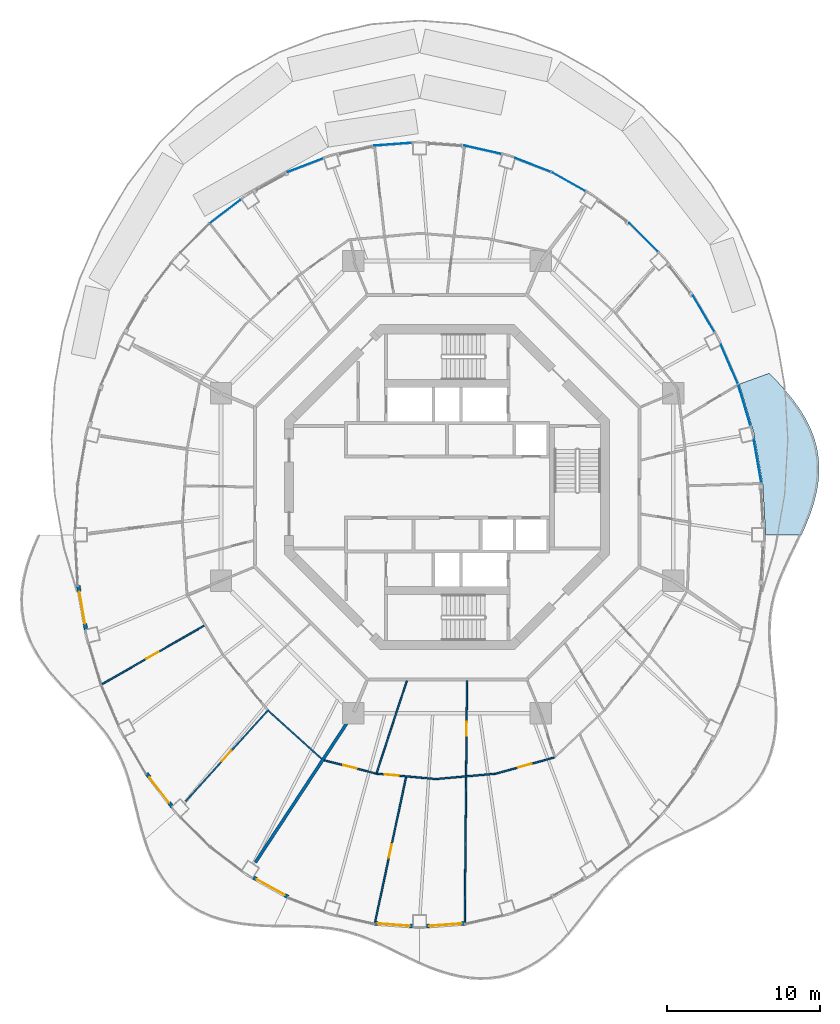
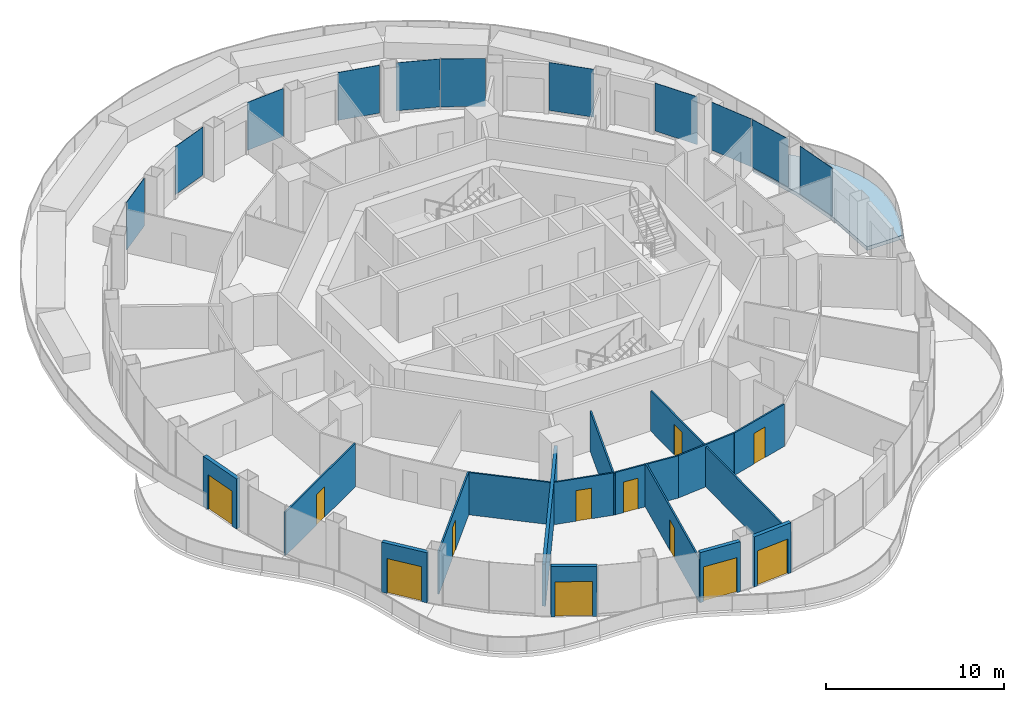
# One storey, part 9 of 17: 16 walls, 12 doors, 11 plates, 1 slab, 12 openings, 11 elements without a shape of their own.
"""IFC4 building model written with IfcOpenShell, lengths in metres."""

from ifc_helpers import new_model, si_unit, direction, frame, frame_2d, origin, origin_2d, place, context, subcontext, project, spatial, polyline, rectangle, outline, extrude, material, layer, layer_set, type_object, element, fill, aggregate, save


model = new_model("IFC4")

# Units and contexts
model_context = context("Model", 3, precision=1e-05, world=origin(), true_north=direction((0.0, 1.0)))
body_context = subcontext(model_context, "Body", "Model", "MODEL_VIEW")
ifc_project = project(units=[si_unit("LENGTHUNIT", "METRE"), si_unit("AREAUNIT", "SQUARE_METRE"), si_unit("VOLUMEUNIT", "CUBIC_METRE"), si_unit("PLANEANGLEUNIT", "RADIAN"), si_unit("MASSUNIT", "GRAM", prefix="KILO")], contexts=[model_context])

# Site, building, storey
site_placement = place(None, origin())
site = spatial("IfcSite", under=ifc_project, at=site_placement, CompositionType="ELEMENT")
building_placement = place(site_placement, origin())
building = spatial("IfcBuilding", under=site, at=building_placement, Name="Nagisa Residences", CompositionType="ELEMENT")
storey_placement = place(building_placement, frame((0.0, 0.0, 258.5)))
storey = spatial("IfcBuildingStorey", under=building, at=storey_placement, Name="L65", CompositionType="ELEMENT", Elevation=258.5)

# Slab
ifc_material_1 = material(Name="Concrete C40/50", Category="concrete")
ifc_layer_1 = layer(ifc_material_1, 0.25)
ifc_layer_set_1 = layer_set([ifc_layer_1], Name="BALCONY SLAB 250")
slab_type = type_object("IfcSlabType", Name="BALCONY SLAB 250", PredefinedType="FLOOR", material=ifc_layer_set_1)
slab_placement = place(storey_placement, frame((0.0, 0.0, -0.25)))
element("IfcSlab", 1, at=slab_placement, inside=storey, type_object=slab_type, Name="slab:L65:bal00", PredefinedType="FLOOR", context=body_context, shape_type="SweptSolid", body=[
    extrude(outline(polyline([(23.169921875, -3.11767578125), (23.471923828125, -2.4326171875), (23.745361328125, -1.735107421875), (23.977783203125, -1.027099609375), (24.15673828125, -0.3115234375), (24.272705078125, 0.407470703125), (24.317626953125, 1.1259765625), (24.2861328125, 1.8388671875), (24.176025390625, 2.541748046875), (23.987548828125, 3.230224609375), (23.724365234375, 3.900146484375), (23.39208984375, 4.54833984375), (22.99951171875, 5.17333984375), (22.55712890625, 5.774169921875), (22.07666015625, 6.351318359375), (21.571044921875, 6.906982421875), (21.053955078125, 7.444580078125), (19.09814453125, 6.732666015625), (20.04931640625, 3.544189453125), (20.62646484375, 0.241943359375), (20.820068359375, -3.11767578125), (23.169921875, -3.11767578125)])), origin(), (0.0, 0.0, 1.0), 0.25),
])

# Curtain wall, plate
ifc_material_2 = material(Name="Concrete-coloured aluminium curtain wall system", Category="concrete")
ifc_layer_2 = layer(ifc_material_2, 0.159912109375)
ifc_layer_set_2 = layer_set([ifc_layer_2], Name="CW1 CURTAIN WALL")
curtain_wall_type = type_object("IfcCurtainWallType", Name="CW1 CURTAIN WALL", PredefinedType="NOTDEFINED", material=ifc_layer_set_2)
curtain_wall_1_placement = place(storey_placement, origin())
curtain_wall_1 = element("IfcCurtainWall", 2, at=curtain_wall_1_placement, inside=storey, type_object=curtain_wall_type, Name="cw:CW1:L65:01", PredefinedType="NOTDEFINED")
ifc_material_3 = material(Name="Clear laminated glass", Category="glass")
ifc_layer_3 = layer(ifc_material_3, 0.028076171875)
ifc_layer_set_3 = layer_set([ifc_layer_3], Name="CW1 GLASS PANEL")
plate_type = type_object("IfcPlateType", Name="CW1 GLASS PANEL", PredefinedType="CURTAIN_PANEL", material=ifc_layer_set_3)
plate_1_placement = place(storey_placement, frame((20.292724609375, 1.687255859375, 0.14990234375), z_axis=(0.0, 0.0, 1.0), x_axis=(-0.172190868898, 0.985063604377, 0.0)))
plate_1 = element("IfcPlate", 3, at=plate_1_placement, type_object=plate_type, Name="CW1 panel", PredefinedType="CURTAIN_PANEL", context=body_context, shape_type="SweptSolid", body=[
    extrude(rectangle(XDim=2.84228515625, YDim=0.028076171875, at=origin_2d()), origin(), (0.0, 0.0, 1.0), 3.2900390625),
])
aggregate(curtain_wall_1, [plate_1])

curtain_wall_2_placement = place(storey_placement, origin())
curtain_wall_2 = element("IfcCurtainWall", 4, at=curtain_wall_2_placement, inside=storey, type_object=curtain_wall_type, Name="cw:CW1:L65:02", PredefinedType="NOTDEFINED")
plate_2_placement = place(storey_placement, frame((19.424072265625, 5.35986328125, 0.14990234375), z_axis=(0.0, 0.0, 1.0), x_axis=(-0.285860274038, 0.958271310082, 0.0)))
plate_2 = element("IfcPlate", 5, at=plate_2_placement, type_object=plate_type, Name="CW1 panel", PredefinedType="CURTAIN_PANEL", context=body_context, shape_type="SweptSolid", body=[
    extrude(rectangle(XDim=2.817138671875, YDim=0.028076171875, at=origin_2d()), origin(), (0.0, 0.0, 1.0), 3.2900390625),
])
aggregate(curtain_wall_2, [plate_2])

curtain_wall_3_placement = place(storey_placement, origin())
curtain_wall_3 = element("IfcCurtainWall", 6, at=curtain_wall_3_placement, inside=storey, type_object=curtain_wall_type, Name="cw:CW1:L65:03", PredefinedType="NOTDEFINED")
plate_3_placement = place(storey_placement, frame((18.447998046875, 8.03173828125, 0.14990234375), z_axis=(0.0, 0.0, 1.0), x_axis=(-0.397635934147, 0.917543276295, 0.0)))
plate_3 = element("IfcPlate", 7, at=plate_3_placement, type_object=plate_type, Name="CW1 panel", PredefinedType="CURTAIN_PANEL", context=body_context, shape_type="SweptSolid", body=[
    extrude(rectangle(XDim=2.781005859375, YDim=0.028076171875, at=origin_2d()), origin(), (0.0, 0.0, 1.0), 3.2900390625),
])
aggregate(curtain_wall_3, [plate_3])

curtain_wall_4_placement = place(storey_placement, origin())
curtain_wall_4 = element("IfcCurtainWall", 8, at=curtain_wall_4_placement, inside=storey, type_object=curtain_wall_type, Name="cw:CW1:L65:04", PredefinedType="NOTDEFINED")
plate_4_placement = place(storey_placement, frame((16.76953125, 11.33154296875, 0.14990234375), z_axis=(0.0, 0.0, 1.0), x_axis=(-0.506348567002, 0.862328898214, 0.0)))
plate_4 = element("IfcPlate", 9, at=plate_4_placement, type_object=plate_type, Name="CW1 panel", PredefinedType="CURTAIN_PANEL", context=body_context, shape_type="SweptSolid", body=[
    extrude(rectangle(XDim=2.736572265625, YDim=0.028076171875, at=origin_2d()), origin(), (0.0, 0.0, 1.0), 3.2900390625),
])
aggregate(curtain_wall_4, [plate_4])

curtain_wall_5_placement = place(storey_placement, origin())
curtain_wall_5 = element("IfcCurtainWall", 10, at=curtain_wall_5_placement, inside=storey, type_object=curtain_wall_type, Name="cw:CW1:L65:06", PredefinedType="NOTDEFINED")
plate_5_placement = place(storey_placement, frame((12.845458984375, 16.316650390625, 0.14990234375), z_axis=(0.0, 0.0, 1.0), x_axis=(-0.707835924016, 0.706376885714, 0.0)))
plate_5 = element("IfcPlate", 11, at=plate_5_placement, type_object=plate_type, Name="CW1 panel", PredefinedType="CURTAIN_PANEL", context=body_context, shape_type="SweptSolid", body=[
    extrude(rectangle(XDim=2.6328125, YDim=0.028076171875, at=origin_2d()), origin(), (0.0, 0.0, 1.0), 3.2900390625),
])
aggregate(curtain_wall_5, [plate_5])

curtain_wall_6_placement = place(storey_placement, origin())
curtain_wall_6 = element("IfcCurtainWall", 12, at=curtain_wall_6_placement, inside=storey, type_object=curtain_wall_type, Name="cw:CW1:L65:08", PredefinedType="NOTDEFINED")
plate_6_placement = place(storey_placement, frame((7.921630859375, 19.973388671875, 0.14990234375), z_axis=(0.0, 0.0, 1.0), x_axis=(-0.872072377523, 0.489376918501, 0.0)))
plate_6 = element("IfcPlate", 13, at=plate_6_placement, type_object=plate_type, Name="CW1 panel", PredefinedType="CURTAIN_PANEL", context=body_context, shape_type="SweptSolid", body=[
    extrude(rectangle(XDim=2.532958984375, YDim=0.028076171875, at=origin_2d()), origin(), (0.0, 0.0, 1.0), 3.2900390625),
])
aggregate(curtain_wall_6, [plate_6])

curtain_wall_7_placement = place(storey_placement, origin())
curtain_wall_7 = element("IfcCurtainWall", 14, at=curtain_wall_7_placement, inside=storey, type_object=curtain_wall_type, Name="cw:CW1:L65:09", PredefinedType="NOTDEFINED")
plate_7_placement = place(storey_placement, frame((5.6083984375, 21.059326171875, 0.14990234375), z_axis=(0.0, 0.0, 1.0), x_axis=(-0.932825759707, 0.360327770268, 0.0)))
plate_7 = element("IfcPlate", 15, at=plate_7_placement, type_object=plate_type, Name="CW1 panel", PredefinedType="CURTAIN_PANEL", context=body_context, shape_type="SweptSolid", body=[
    extrude(rectangle(XDim=2.49365234375, YDim=0.028076171875, at=origin_2d()), origin(), (0.0, 0.0, 1.0), 3.2900390625),
])
aggregate(curtain_wall_7, [plate_7])

curtain_wall_8_placement = place(storey_placement, origin())
curtain_wall_8 = element("IfcCurtainWall", 16, at=curtain_wall_8_placement, inside=storey, type_object=curtain_wall_type, Name="cw:CW1:L65:10", PredefinedType="NOTDEFINED")
plate_8_placement = place(storey_placement, frame((2.337158203125, 22.052001953125, 0.14990234375), z_axis=(0.0, 0.0, 1.0), x_axis=(-0.975327274089, 0.2207639201, 0.0)))
plate_8 = element("IfcPlate", 17, at=plate_8_placement, type_object=plate_type, Name="CW1 panel", PredefinedType="CURTAIN_PANEL", context=body_context, shape_type="SweptSolid", body=[
    extrude(rectangle(XDim=2.46533203125, YDim=0.028076171875, at=origin_2d()), origin(), (0.0, 0.0, 1.0), 3.2900390625),
])
aggregate(curtain_wall_8, [plate_8])

curtain_wall_9_placement = place(storey_placement, origin())
curtain_wall_9 = element("IfcCurtainWall", 18, at=curtain_wall_9_placement, inside=storey, type_object=curtain_wall_type, Name="cw:CW1:L65:12", PredefinedType="NOTDEFINED")
plate_9_placement = place(storey_placement, frame((-3.524658203125, 22.41357421875, 0.14990234375), z_axis=(0.0, 0.0, 1.0), x_axis=(-0.997230168512, -0.074377355493, 0.0)))
plate_9 = element("IfcPlate", 19, at=plate_9_placement, type_object=plate_type, Name="CW1 panel", PredefinedType="CURTAIN_PANEL", context=body_context, shape_type="SweptSolid", body=[
    extrude(rectangle(XDim=2.45068359375, YDim=0.028076171875, at=origin_2d()), origin(), (0.0, 0.0, 1.0), 3.2900390625),
])
aggregate(curtain_wall_9, [plate_9])

curtain_wall_10_placement = place(storey_placement, origin())
curtain_wall_10 = element("IfcCurtainWall", 20, at=curtain_wall_10_placement, inside=storey, type_object=curtain_wall_type, Name="cw:CW1:L65:14", PredefinedType="NOTDEFINED")
plate_10_placement = place(storey_placement, frame((-9.264404296875, 21.03759765625, 0.14990234375), z_axis=(0.0, 0.0, 1.0), x_axis=(-0.932825759707, -0.360327770268, 0.0)))
plate_10 = element("IfcPlate", 21, at=plate_10_placement, type_object=plate_type, Name="CW1 panel", PredefinedType="CURTAIN_PANEL", context=body_context, shape_type="SweptSolid", body=[
    extrude(rectangle(XDim=2.49365234375, YDim=0.028076171875, at=origin_2d()), origin(), (0.0, 0.0, 1.0), 3.2900390625),
])
aggregate(curtain_wall_10, [plate_10])

curtain_wall_11_placement = place(storey_placement, origin())
curtain_wall_11 = element("IfcCurtainWall", 22, at=curtain_wall_11_placement, inside=storey, type_object=curtain_wall_type, Name="cw:CW1:L65:16", PredefinedType="NOTDEFINED")
plate_11_placement = place(storey_placement, frame((-14.49462890625, 18.0205078125, 0.14990234375), z_axis=(0.0, 0.0, 1.0), x_axis=(-0.79603132756, -0.605255421737, 0.0)))
plate_11 = element("IfcPlate", 23, at=plate_11_placement, type_object=plate_type, Name="CW1 panel", PredefinedType="CURTAIN_PANEL", context=body_context, shape_type="SweptSolid", body=[
    extrude(rectangle(XDim=2.58056640625, YDim=0.028076171875, at=origin_2d()), origin(), (0.0, 0.0, 1.0), 3.2900390625),
])
aggregate(curtain_wall_11, [plate_11])

# Wall
ifc_material_4 = material(Name="Gypsum board on steel studs", Category="steel")
ifc_layer_4 = layer(ifc_material_4, 0.199951171875)
ifc_layer_set_4 = layer_set([ifc_layer_4], Name="Apartment compartment wall EI60 200")
wall_type_1 = type_object("IfcWallType", Name="Apartment compartment wall EI60 200", PredefinedType="PARTITIONING", material=ifc_layer_set_4)
wall_1_placement = place(storey_placement, frame((-6.150634765625, -14.82373046875, 0.0), z_axis=(0.0, 0.0, 1.0), x_axis=(-0.549345577828, -0.835595258556, 0.0)))
element("IfcWall", 24, at=wall_1_placement, inside=storey, type_object=wall_type_1, Name="wall:L65:u05", PredefinedType="PARTITIONING", context=body_context, shape_type="SweptSolid", body=[
    extrude(rectangle(XDim=11.619873046875, YDim=0.199951171875, at=frame_2d((5.81005859375, 0.0))), origin(), (0.0, 0.0, 1.0), 2.905029296875),
])

# Wall, opening, door
ifc_material_5 = material(Name="Gypsum board on steel studs", Category="steel")
ifc_layer_5 = layer(ifc_material_5, 0.10009765625)
ifc_layer_set_5 = layer_set([ifc_layer_5], Name="Apartment partition 100")
wall_type_2 = type_object("IfcWallType", Name="Apartment partition 100", PredefinedType="PARTITIONING", material=ifc_layer_set_5)
wall_2_placement = place(storey_placement, frame((-15.853515625, -9.0380859375, 0.0), z_axis=(0.0, 0.0, 1.0), x_axis=(-0.867229230904, -0.497909089157, 0.0)))
wall_2 = element("IfcWall", 25, at=wall_2_placement, inside=storey, type_object=wall_type_2, Name="wall:L65:u49", PredefinedType="PARTITIONING", context=body_context, shape_type="SweptSolid", body=[
    extrude(rectangle(XDim=7.852783203125, YDim=0.10009765625, at=frame_2d((3.92626953125, 0.0))), origin(), (0.0, 0.0, 1.0), 2.98291015625),
])
opening_1_placement = place(wall_2_placement, frame((3.476318359375, 0.0, 0.0)))
opening_1 = element("IfcOpeningElement", 26, at=opening_1_placement, cuts=wall_2, Name="Opening L65-U24", PredefinedType="OPENING", context=body_context, shape_type="SweptSolid", body=[
    extrude(rectangle(XDim=0.89990234375, YDim=2.10009765625, at=frame_2d((0.449951171875, 1.050048828125))), frame((0.0, 0.06005859375, 0.0), z_axis=(0.0, -1.0, 0.0), x_axis=(1.0, 0.0, 0.0)), (0.0, 0.0, 1.0), 0.1201171875),
])
ifc_material_6 = material(Name="Timber door set", Category="wood")
door_type_1 = type_object("IfcDoorType", Name="Apartment door 900x2100", OperationType="NOTDEFINED", PredefinedType="DOOR", material=ifc_material_6)
door_1_placement = place(opening_1_placement, origin())
door_1 = element("IfcDoor", 27, at=door_1_placement, inside=storey, type_object=door_type_1, Name="Door to living room, Apartment 65C", OperationType="SINGLE_SWING_RIGHT", OverallHeight=2.10009765625, OverallWidth=0.89990234375, PredefinedType="DOOR", context=body_context, shape_type="SweptSolid", body=[
    extrude(rectangle(XDim=0.89990234375, YDim=2.10009765625, at=frame_2d((0.449951171875, 1.050048828125))), frame((0.0, 0.02490234375, 0.0), z_axis=(0.0, -1.0, 0.0), x_axis=(1.0, 0.0, 0.0)), (0.0, 0.0, 1.0), 0.050048828125),
])
fill(opening_1, door_1)

wall_3_placement = place(storey_placement, frame((-11.67919921875, -14.55712890625, 0.0), z_axis=(0.0, 0.0, 1.0), x_axis=(-0.670800011545, -0.741638284146, 0.0)))
wall_3 = element("IfcWall", 28, at=wall_3_placement, inside=storey, type_object=wall_type_2, Name="wall:L65:u52", PredefinedType="PARTITIONING", context=body_context, shape_type="SweptSolid", body=[
    extrude(rectangle(XDim=8.068115234375, YDim=0.10009765625, at=frame_2d((4.0341796875, 0.0))), origin(), (0.0, 0.0, 1.0), 2.905029296875),
])
opening_2_placement = place(wall_3_placement, frame((3.609130859375, 0.0, 0.0)))
opening_2 = element("IfcOpeningElement", 29, at=opening_2_placement, cuts=wall_3, Name="Opening L65-U25", PredefinedType="OPENING", context=body_context, shape_type="SweptSolid", body=[
    extrude(rectangle(XDim=0.89990234375, YDim=2.10009765625, at=frame_2d((0.449951171875, 1.050048828125))), frame((0.0, 0.06005859375, 0.0), z_axis=(0.0, -1.0, 0.0), x_axis=(1.0, 0.0, 0.0)), (0.0, 0.0, 1.0), 0.1201171875),
])
door_2_placement = place(opening_2_placement, origin())
door_2 = element("IfcDoor", 30, at=door_2_placement, inside=storey, type_object=door_type_1, Name="Door to master bedroom, Apartment 65C", OperationType="SINGLE_SWING_LEFT", OverallHeight=2.10009765625, OverallWidth=0.89990234375, PredefinedType="DOOR", context=body_context, shape_type="SweptSolid", body=[
    extrude(rectangle(XDim=0.89990234375, YDim=2.10009765625, at=frame_2d((0.449951171875, 1.050048828125))), frame((0.0, 0.02490234375, 0.0), z_axis=(0.0, -1.0, 0.0), x_axis=(1.0, 0.0, 0.0)), (0.0, 0.0, 1.0), 0.050048828125),
])
fill(opening_2, door_2)

# Wall
wall_4_placement = place(storey_placement, frame((-11.675537109375, -14.627685546875, 0.0), z_axis=(0.0, 0.0, 1.0), x_axis=(0.74245829867, -0.669892285921, 0.0)))
element("IfcWall", 31, at=wall_4_placement, inside=storey, type_object=wall_type_2, Name="wall:L65:u53", PredefinedType="PARTITIONING", context=body_context, shape_type="SweptSolid", body=[
    extrude(rectangle(XDim=4.679931640625, YDim=0.10009765625, at=frame_2d((2.33984375, 0.0))), origin(), (0.0, 0.0, 1.0), 2.905029296875),
])

# Wall, opening, door
wall_5_placement = place(storey_placement, frame((-8.02978515625, -17.8544921875, 0.0), z_axis=(0.0, 0.0, 1.0), x_axis=(0.968441967324, -0.249239154077, 0.0)))
wall_5 = element("IfcWall", 32, at=wall_5_placement, inside=storey, type_object=wall_type_2, Name="wall:L65:u54", PredefinedType="PARTITIONING", context=body_context, shape_type="SweptSolid", body=[
    extrude(rectangle(XDim=3.467529296875, YDim=0.10009765625, at=frame_2d((1.73388671875, 0.0))), origin(), (0.0, 0.0, 1.0), 2.905029296875),
])
opening_3_placement = place(wall_5_placement, frame((1.28369140625, 0.0, 0.0)))
opening_3 = element("IfcOpeningElement", 33, at=opening_3_placement, cuts=wall_5, Name="Opening L65-U38", PredefinedType="OPENING", context=body_context, shape_type="SweptSolid", body=[
    extrude(rectangle(XDim=0.89990234375, YDim=2.10009765625, at=frame_2d((0.449951171875, 1.050048828125))), frame((0.0, 0.06005859375, 0.0), z_axis=(0.0, -1.0, 0.0), x_axis=(1.0, 0.0, 0.0)), (0.0, 0.0, 1.0), 0.1201171875),
])
door_3_placement = place(opening_3_placement, origin())
door_3 = element("IfcDoor", 34, at=door_3_placement, inside=storey, type_object=door_type_1, Name="Door to laundry, Apartment 65D", OperationType="SINGLE_SWING_RIGHT", OverallHeight=2.10009765625, OverallWidth=0.89990234375, PredefinedType="DOOR", context=body_context, shape_type="SweptSolid", body=[
    extrude(rectangle(XDim=0.89990234375, YDim=2.10009765625, at=frame_2d((0.449951171875, 1.050048828125))), frame((0.0, 0.02490234375, 0.0), z_axis=(0.0, -1.0, 0.0), x_axis=(1.0, 0.0, 0.0)), (0.0, 0.0, 1.0), 0.050048828125),
])
fill(opening_3, door_3)

# Wall
wall_6_placement = place(storey_placement, frame((-2.63330078125, -12.65966796875, 0.0), z_axis=(0.0, 0.0, 1.0), x_axis=(-0.311435053715, -0.950267439891, 0.0)))
element("IfcWall", 35, at=wall_6_placement, inside=storey, type_object=wall_type_2, Name="wall:L65:u55", PredefinedType="PARTITIONING", context=body_context, shape_type="SweptSolid", body=[
    extrude(rectangle(XDim=6.439208984375, YDim=0.10009765625, at=frame_2d((3.2197265625, 0.0))), origin(), (0.0, 0.0, 1.0), 2.761962890625),
])

# Wall, opening, door
wall_7_placement = place(storey_placement, frame((-4.5732421875, -18.735595703125, 0.0), z_axis=(0.0, 0.0, 1.0), x_axis=(0.995984610732, -0.089524606594, 0.0)))
wall_7 = element("IfcWall", 36, at=wall_7_placement, inside=storey, type_object=wall_type_2, Name="wall:L65:u56", PredefinedType="PARTITIONING", context=body_context, shape_type="SweptSolid", body=[
    extrude(rectangle(XDim=3.918701171875, YDim=0.10009765625, at=frame_2d((1.95947265625, 0.0))), origin(), (0.0, 0.0, 1.0), 2.905029296875),
])
opening_4_placement = place(wall_7_placement, frame((0.504638671875, 0.0, 0.0)))
opening_4 = element("IfcOpeningElement", 37, at=opening_4_placement, cuts=wall_7, Name="Opening L65-U36", PredefinedType="OPENING", context=body_context, shape_type="SweptSolid", body=[
    extrude(rectangle(XDim=0.89990234375, YDim=2.10009765625, at=frame_2d((0.449951171875, 1.050048828125))), frame((0.0, 0.06005859375, 0.0), z_axis=(0.0, -1.0, 0.0), x_axis=(1.0, 0.0, 0.0)), (0.0, 0.0, 1.0), 0.1201171875),
])
door_4_placement = place(opening_4_placement, frame((0.89990234375, 0.0, 0.0), x_axis=(-1.0, 0.0, 0.0)))
door_4 = element("IfcDoor", 38, at=door_4_placement, inside=storey, type_object=door_type_1, Name="Door to living room, Apartment 65D", OperationType="SINGLE_SWING_LEFT", OverallHeight=2.10009765625, OverallWidth=0.89990234375, PredefinedType="DOOR", context=body_context, shape_type="SweptSolid", body=[
    extrude(rectangle(XDim=0.89990234375, YDim=2.10009765625, at=frame_2d((0.449951171875, 1.050048828125))), frame((0.0, 0.02490234375, 0.0), z_axis=(0.0, -1.0, 0.0), x_axis=(1.0, 0.0, 0.0)), (0.0, 0.0, 1.0), 0.050048828125),
])
fill(opening_4, door_4)

wall_8_placement = place(storey_placement, frame((-2.68212890625, -18.955322265625, 0.0), z_axis=(0.0, 0.0, 1.0), x_axis=(-0.209106370979, -0.977892900892, 0.0)))
wall_8 = element("IfcWall", 39, at=wall_8_placement, inside=storey, type_object=wall_type_2, Name="wall:L65:u57", PredefinedType="PARTITIONING", context=body_context, shape_type="SweptSolid", body=[
    extrude(rectangle(XDim=9.861083984375, YDim=0.10009765625, at=frame_2d((4.9306640625, 0.0))), origin(), (0.0, 0.0, 1.0), 2.98291015625),
])
opening_5_placement = place(wall_8_placement, frame((4.48046875, 0.0, 0.0)))
opening_5 = element("IfcOpeningElement", 40, at=opening_5_placement, cuts=wall_8, Name="Opening L65-U37", PredefinedType="OPENING", context=body_context, shape_type="SweptSolid", body=[
    extrude(rectangle(XDim=0.89990234375, YDim=2.10009765625, at=frame_2d((0.449951171875, 1.050048828125))), frame((0.0, 0.06005859375, 0.0), z_axis=(0.0, -1.0, 0.0), x_axis=(1.0, 0.0, 0.0)), (0.0, 0.0, 1.0), 0.1201171875),
])
door_5_placement = place(opening_5_placement, origin())
door_5 = element("IfcDoor", 41, at=door_5_placement, inside=storey, type_object=door_type_1, Name="Door to master bedroom, Apartment 65D", OperationType="SINGLE_SWING_LEFT", OverallHeight=2.10009765625, OverallWidth=0.89990234375, PredefinedType="DOOR", context=body_context, shape_type="SweptSolid", body=[
    extrude(rectangle(XDim=0.89990234375, YDim=2.10009765625, at=frame_2d((0.449951171875, 1.050048828125))), frame((0.0, 0.02490234375, 0.0), z_axis=(0.0, -1.0, 0.0), x_axis=(1.0, 0.0, 0.0)), (0.0, 0.0, 1.0), 0.050048828125),
])
fill(opening_5, door_5)

# Wall
wall_9_placement = place(storey_placement, frame((-0.670166015625, -19.077392578125, 0.0), z_axis=(0.0, 0.0, 1.0), x_axis=(0.995986472869, 0.089503887414, 0.0)))
element("IfcWall", 42, at=wall_9_placement, inside=storey, type_object=wall_type_2, Name="wall:L65:u58", PredefinedType="PARTITIONING", context=body_context, shape_type="SweptSolid", body=[
    extrude(rectangle(XDim=3.81884765625, YDim=0.10009765625, at=frame_2d((1.909423828125, 0.0))), origin(), (0.0, 0.0, 1.0), 2.905029296875),
])

# Wall, opening, door
wall_10_placement = place(storey_placement, frame((1.30029296875, -12.664794921875, 0.0), z_axis=(0.0, 0.0, 1.0), x_axis=(-0.009254890166, -0.999957172587, 0.0)))
wall_10 = element("IfcWall", 43, at=wall_10_placement, inside=storey, type_object=wall_type_2, Name="wall:L65:u59", PredefinedType="PARTITIONING", context=body_context, shape_type="SweptSolid", body=[
    extrude(rectangle(XDim=15.933349609375, YDim=0.10009765625, at=frame_2d((7.966796875, 0.0))), origin(), (0.0, 0.0, 1.0), 2.761962890625),
])
opening_6_placement = place(wall_10_placement, frame((2.671142578125, 0.0, 0.0)))
opening_6 = element("IfcOpeningElement", 44, at=opening_6_placement, cuts=wall_10, Name="Opening L65-U35", PredefinedType="OPENING", context=body_context, shape_type="SweptSolid", body=[
    extrude(rectangle(XDim=0.89990234375, YDim=2.10009765625, at=frame_2d((0.449951171875, 1.050048828125))), frame((0.0, 0.06005859375, 0.0), z_axis=(0.0, -1.0, 0.0), x_axis=(1.0, 0.0, 0.0)), (0.0, 0.0, 1.0), 0.1201171875),
])
door_6_placement = place(opening_6_placement, frame((0.89990234375, 0.0, 0.0), x_axis=(-1.0, 0.0, 0.0)))
door_6 = element("IfcDoor", 45, at=door_6_placement, inside=storey, type_object=door_type_1, Name="Door to store, Apartment 65D", OperationType="SINGLE_SWING_RIGHT", OverallHeight=2.10009765625, OverallWidth=0.89990234375, PredefinedType="DOOR", context=body_context, shape_type="SweptSolid", body=[
    extrude(rectangle(XDim=0.89990234375, YDim=2.10009765625, at=frame_2d((0.449951171875, 1.050048828125))), frame((0.0, 0.02490234375, 0.0), z_axis=(0.0, -1.0, 0.0), x_axis=(1.0, 0.0, 0.0)), (0.0, 0.0, 1.0), 0.050048828125),
])
fill(opening_6, door_6)

wall_11_placement = place(storey_placement, frame((3.135009765625, -18.744384765625, 0.0), z_axis=(0.0, 0.0, 1.0), x_axis=(0.963606111552, 0.267326133738, 0.0)))
wall_11 = element("IfcWall", 46, at=wall_11_placement, inside=storey, type_object=wall_type_2, Name="wall:L65:u60", PredefinedType="PARTITIONING", context=body_context, shape_type="SweptSolid", body=[
    extrude(rectangle(XDim=4.0029296875, YDim=0.10009765625, at=frame_2d((2.00146484375, 0.0))), origin(), (0.0, 0.0, 1.0), 2.905029296875),
])
opening_7_placement = place(wall_11_placement, frame((1.576416015625, 0.0, 0.0)))
opening_7 = element("IfcOpeningElement", 47, at=opening_7_placement, cuts=wall_11, Name="Opening L65-U34", PredefinedType="OPENING", context=body_context, shape_type="SweptSolid", body=[
    extrude(rectangle(XDim=0.89990234375, YDim=2.10009765625, at=frame_2d((0.449951171875, 1.050048828125))), frame((0.0, 0.06005859375, 0.0), z_axis=(0.0, -1.0, 0.0), x_axis=(1.0, 0.0, 0.0)), (0.0, 0.0, 1.0), 0.1201171875),
])
door_7_placement = place(opening_7_placement, frame((0.89990234375, 0.0, 0.0), x_axis=(-1.0, 0.0, 0.0)))
door_7 = element("IfcDoor", 48, at=door_7_placement, inside=storey, type_object=door_type_1, Name="Door to family room, Apartment 65D", OperationType="SINGLE_SWING_LEFT", OverallHeight=2.10009765625, OverallWidth=0.89990234375, PredefinedType="DOOR", context=body_context, shape_type="SweptSolid", body=[
    extrude(rectangle(XDim=0.89990234375, YDim=2.10009765625, at=frame_2d((0.449951171875, 1.050048828125))), frame((0.0, 0.02490234375, 0.0), z_axis=(0.0, -1.0, 0.0), x_axis=(1.0, 0.0, 0.0)), (0.0, 0.0, 1.0), 0.050048828125),
])
fill(opening_7, door_7)

ifc_material_7 = material(Name="Precast concrete C40/50", Category="concrete")
ifc_layer_6 = layer(ifc_material_7, 0.25)
ifc_layer_set_6 = layer_set([ifc_layer_6], Name="BALCONY DOOR WALL 250")
wall_type_3 = type_object("IfcWallType", Name="BALCONY DOOR WALL 250", PredefinedType="SOLIDWALL", material=ifc_layer_set_6)
wall_12_placement = place(storey_placement, frame((-23.603515625, -9.31494140625, 0.0), z_axis=(0.0, 0.0, 1.0), x_axis=(-0.172182411767, 0.985065082661, 0.0)))
wall_12 = element("IfcWall", 49, at=wall_12_placement, inside=storey, type_object=wall_type_3, Name="wall:L65:bay25", PredefinedType="SOLIDWALL", context=body_context, shape_type="SweptSolid", body=[
    extrude(rectangle(XDim=2.902587890625, YDim=0.25, at=frame_2d((1.451171875, 0.0))), origin(), (0.0, 0.0, 1.0), 3.43994140625),
])
opening_8_placement = place(wall_12_placement, frame((0.401123046875, 0.0, 0.0)))
opening_8 = element("IfcOpeningElement", 50, at=opening_8_placement, cuts=wall_12, Name="Opening BD-L65-09", PredefinedType="OPENING", context=body_context, shape_type="SweptSolid", body=[
    extrude(rectangle(XDim=2.10009765625, YDim=2.39990234375, at=frame_2d((1.050048828125, 1.199951171875))), frame((0.0, 0.135009765625, 0.0), z_axis=(0.0, -1.0, 0.0), x_axis=(1.0, 0.0, 0.0)), (0.0, 0.0, 1.0), 0.27001953125),
])
ifc_material_8 = material(Name="Aluminium and clear glass", Category="aluminium")
door_type_2 = type_object("IfcDoorType", Name="BALCONY SLIDING DOOR 2100x2400", OperationType="SLIDING_TO_LEFT", PredefinedType="DOOR", material=ifc_material_8)
door_8_placement = place(opening_8_placement, origin())
door_8 = element("IfcDoor", 51, at=door_8_placement, inside=storey, type_object=door_type_2, Name="door:L65:bay25", OperationType="SLIDING_TO_LEFT", OverallHeight=2.39990234375, OverallWidth=2.10009765625, PredefinedType="DOOR", context=body_context, shape_type="SweptSolid", body=[
    extrude(rectangle(XDim=2.10009765625, YDim=2.39990234375, at=frame_2d((1.050048828125, 1.199951171875))), frame((0.0, 0.02490234375, 0.0), z_axis=(0.0, -1.0, 0.0), x_axis=(1.0, 0.0, 0.0)), (0.0, 0.0, 1.0), 0.050048828125),
])
fill(opening_8, door_8)

wall_13_placement = place(storey_placement, frame((-17.970458984375, -20.885986328125, 0.0), z_axis=(0.0, 0.0, 1.0), x_axis=(-0.610432336622, 0.792068407656, 0.0)))
wall_13 = element("IfcWall", 52, at=wall_13_placement, inside=storey, type_object=wall_type_3, Name="wall:L65:bay29", PredefinedType="SOLIDWALL", context=body_context, shape_type="SweptSolid", body=[
    extrude(rectangle(XDim=2.74609375, YDim=0.25, at=frame_2d((1.373046875, 0.0))), origin(), (0.0, 0.0, 1.0), 3.43994140625),
])
opening_9_placement = place(wall_13_placement, frame((0.322998046875, 0.0, 0.0)))
opening_9 = element("IfcOpeningElement", 53, at=opening_9_placement, cuts=wall_13, Name="Opening BD-L65-10", PredefinedType="OPENING", context=body_context, shape_type="SweptSolid", body=[
    extrude(rectangle(XDim=2.10009765625, YDim=2.39990234375, at=frame_2d((1.050048828125, 1.199951171875))), frame((0.0, 0.135009765625, 0.0), z_axis=(0.0, -1.0, 0.0), x_axis=(1.0, 0.0, 0.0)), (0.0, 0.0, 1.0), 0.27001953125),
])
door_9_placement = place(opening_9_placement, origin())
door_9 = element("IfcDoor", 54, at=door_9_placement, inside=storey, type_object=door_type_2, Name="door:L65:bay29", OperationType="SLIDING_TO_LEFT", OverallHeight=2.39990234375, OverallWidth=2.10009765625, PredefinedType="DOOR", context=body_context, shape_type="SweptSolid", body=[
    extrude(rectangle(XDim=2.10009765625, YDim=2.39990234375, at=frame_2d((1.050048828125, 1.199951171875))), frame((0.0, 0.02490234375, 0.0), z_axis=(0.0, -1.0, 0.0), x_axis=(1.0, 0.0, 0.0)), (0.0, 0.0, 1.0), 0.050048828125),
])
fill(opening_9, door_9)

wall_14_placement = place(storey_placement, frame((-10.39501953125, -26.789306640625, 0.0), z_axis=(0.0, 0.0, 1.0), x_axis=(-0.872115604046, 0.489299880625, 0.0)))
wall_14 = element("IfcWall", 55, at=wall_14_placement, inside=storey, type_object=wall_type_3, Name="wall:L65:bay32", PredefinedType="SOLIDWALL", context=body_context, shape_type="SweptSolid", body=[
    extrude(rectangle(XDim=2.593017578125, YDim=0.25, at=frame_2d((1.29638671875, 0.0))), origin(), (0.0, 0.0, 1.0), 3.43994140625),
])
opening_10_placement = place(wall_14_placement, frame((0.24658203125, 0.0, 0.0)))
opening_10 = element("IfcOpeningElement", 56, at=opening_10_placement, cuts=wall_14, Name="Opening BD-L65-11", PredefinedType="OPENING", context=body_context, shape_type="SweptSolid", body=[
    extrude(rectangle(XDim=2.10009765625, YDim=2.39990234375, at=frame_2d((1.050048828125, 1.199951171875))), frame((0.0, 0.135009765625, 0.0), z_axis=(0.0, -1.0, 0.0), x_axis=(1.0, 0.0, 0.0)), (0.0, 0.0, 1.0), 0.27001953125),
])
door_10_placement = place(opening_10_placement, origin())
door_10 = element("IfcDoor", 57, at=door_10_placement, inside=storey, type_object=door_type_2, Name="door:L65:bay32", OperationType="SLIDING_TO_LEFT", OverallHeight=2.39990234375, OverallWidth=2.10009765625, PredefinedType="DOOR", context=body_context, shape_type="SweptSolid", body=[
    extrude(rectangle(XDim=2.10009765625, YDim=2.39990234375, at=frame_2d((1.050048828125, 1.199951171875))), frame((0.0, 0.02490234375, 0.0), z_axis=(0.0, -1.0, 0.0), x_axis=(1.0, 0.0, 0.0)), (0.0, 0.0, 1.0), 0.050048828125),
])
fill(opening_10, door_10)

wall_15_placement = place(storey_placement, frame((-2.239501953125, -28.699462890625, 0.0), z_axis=(0.0, 0.0, 1.0), x_axis=(-0.997236355794, 0.074294351616, 0.0)))
wall_15 = element("IfcWall", 58, at=wall_15_placement, inside=storey, type_object=wall_type_3, Name="wall:L65:bay35", PredefinedType="SOLIDWALL", context=body_context, shape_type="SweptSolid", body=[
    extrude(rectangle(XDim=2.510498046875, YDim=0.25, at=frame_2d((1.25537109375, 0.0))), origin(), (0.0, 0.0, 1.0), 3.43994140625),
])
opening_11_placement = place(wall_15_placement, frame((0.205322265625, 0.0, 0.0)))
opening_11 = element("IfcOpeningElement", 59, at=opening_11_placement, cuts=wall_15, Name="Opening BD-L65-12", PredefinedType="OPENING", context=body_context, shape_type="SweptSolid", body=[
    extrude(rectangle(XDim=2.10009765625, YDim=2.39990234375, at=frame_2d((1.050048828125, 1.199951171875))), frame((0.0, 0.135009765625, 0.0), z_axis=(0.0, -1.0, 0.0), x_axis=(1.0, 0.0, 0.0)), (0.0, 0.0, 1.0), 0.27001953125),
])
door_11_placement = place(opening_11_placement, origin())
door_11 = element("IfcDoor", 60, at=door_11_placement, inside=storey, type_object=door_type_2, Name="door:L65:bay35", OperationType="SLIDING_TO_LEFT", OverallHeight=2.39990234375, OverallWidth=2.10009765625, PredefinedType="DOOR", context=body_context, shape_type="SweptSolid", body=[
    extrude(rectangle(XDim=2.10009765625, YDim=2.39990234375, at=frame_2d((1.050048828125, 1.199951171875))), frame((0.0, 0.02490234375, 0.0), z_axis=(0.0, -1.0, 0.0), x_axis=(1.0, 0.0, 0.0)), (0.0, 0.0, 1.0), 0.050048828125),
])
fill(opening_11, door_11)

wall_16_placement = place(storey_placement, frame((1.143310546875, -28.512939453125, 0.0), z_axis=(0.0, 0.0, 1.0), x_axis=(-0.997236892469, -0.074287147606, 0.0)))
wall_16 = element("IfcWall", 61, at=wall_16_placement, inside=storey, type_object=wall_type_3, Name="wall:L65:bay36", PredefinedType="SOLIDWALL", context=body_context, shape_type="SweptSolid", body=[
    extrude(rectangle(XDim=2.5107421875, YDim=0.25, at=frame_2d((1.25537109375, 0.0))), origin(), (0.0, 0.0, 1.0), 3.43994140625),
])
opening_12_placement = place(wall_16_placement, frame((0.205322265625, 0.0, 0.0)))
opening_12 = element("IfcOpeningElement", 62, at=opening_12_placement, cuts=wall_16, Name="Opening BD-L65-13", PredefinedType="OPENING", context=body_context, shape_type="SweptSolid", body=[
    extrude(rectangle(XDim=2.10009765625, YDim=2.39990234375, at=frame_2d((1.050048828125, 1.199951171875))), frame((0.0, 0.135009765625, 0.0), z_axis=(0.0, -1.0, 0.0), x_axis=(1.0, 0.0, 0.0)), (0.0, 0.0, 1.0), 0.27001953125),
])
door_12_placement = place(opening_12_placement, origin())
door_12 = element("IfcDoor", 63, at=door_12_placement, inside=storey, type_object=door_type_2, Name="door:L65:bay36", OperationType="SLIDING_TO_LEFT", OverallHeight=2.39990234375, OverallWidth=2.10009765625, PredefinedType="DOOR", context=body_context, shape_type="SweptSolid", body=[
    extrude(rectangle(XDim=2.10009765625, YDim=2.39990234375, at=frame_2d((1.050048828125, 1.199951171875))), frame((0.0, 0.02490234375, 0.0), z_axis=(0.0, -1.0, 0.0), x_axis=(1.0, 0.0, 0.0)), (0.0, 0.0, 1.0), 0.050048828125),
])
fill(opening_12, door_12)

save(model, "model.ifc")
